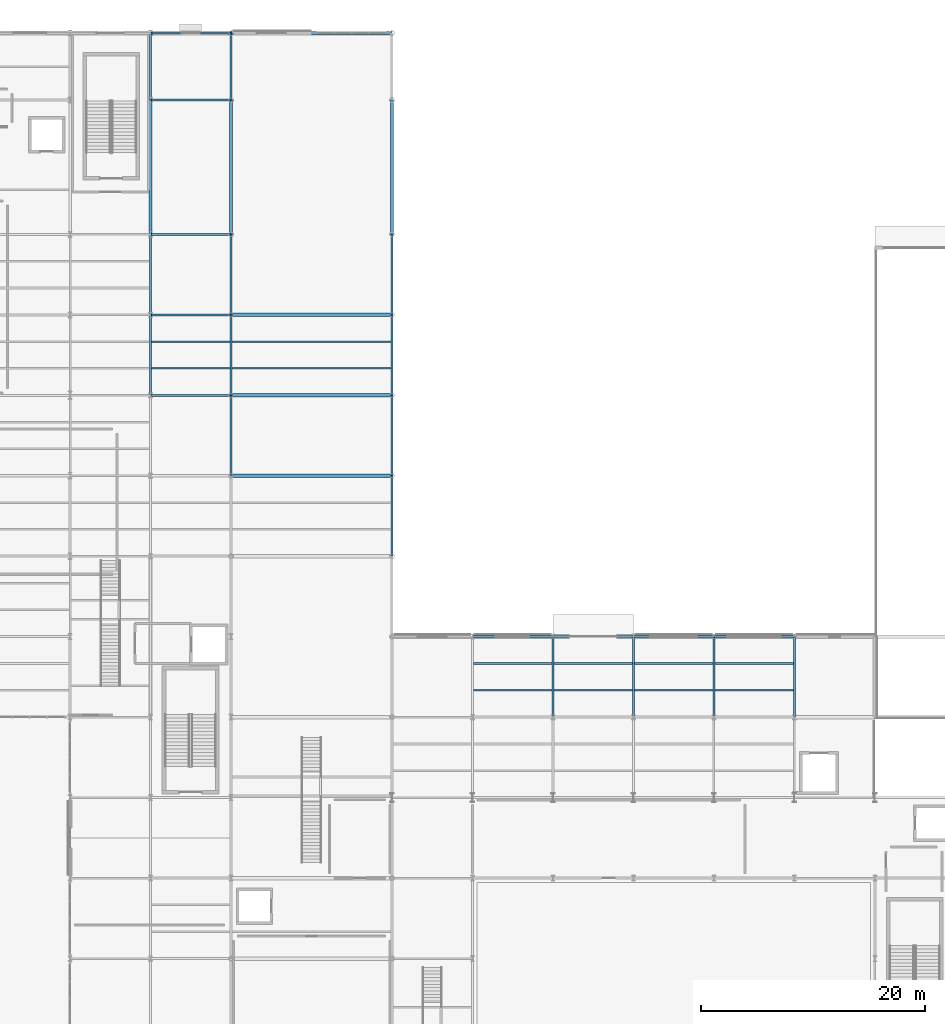
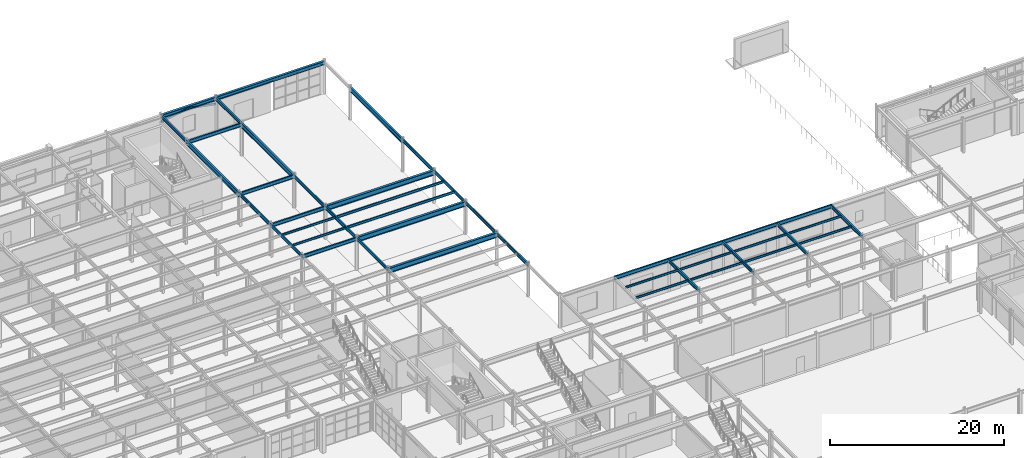
# One storey, part 39 of 83: 43 beams, 2 members.
"""IFC4 building model written with IfcOpenShell, lengths in metres."""

from ifc_helpers import new_model, si_unit, direction, frame, origin, origin_2d, place, context, subcontext, project, spatial, hollow_rectangle, i_section, extrude, material, material_profile, profile_set, type_object, element, save


model = new_model("IFC4")

# Units and contexts
model_context = context("Model", 3, precision=1e-05, world=origin(), true_north=direction((0.0, 1.0)))
body_context = subcontext(model_context, "Body", "Model", "MODEL_VIEW")
ifc_project = project(units=[si_unit("LENGTHUNIT", "METRE"), si_unit("AREAUNIT", "SQUARE_METRE"), si_unit("VOLUMEUNIT", "CUBIC_METRE"), si_unit("PLANEANGLEUNIT", "RADIAN"), si_unit("MASSUNIT", "GRAM", prefix="KILO")], contexts=[model_context])

# Site, building, storey
site_placement = place(None, origin())
site = spatial("IfcSite", under=ifc_project, at=site_placement, CompositionType="ELEMENT")
building_placement = place(site_placement, origin())
building = spatial("IfcBuilding", under=site, at=building_placement, Name="Solvadek Multi-Sports Hall", CompositionType="ELEMENT")
storey_placement = place(building_placement, origin())
storey = spatial("IfcBuildingStorey", under=building, at=storey_placement, Name="L00", CompositionType="ELEMENT", Elevation=0.0)

# Members
ifc_material = material(Name="Steel E350 (350 MPa)", Category="steel")
ifc_material_profile_1 = material_profile(ifc_material, hollow_rectangle(XDim=0.14990234375, YDim=0.25, WallThickness=0.010009765625, at=origin_2d()), Name="RHS 250x150x10")
ifc_profile_set_1 = profile_set([ifc_material_profile_1], Name="Steel E350 (350 MPa)")
member_type = type_object("IfcMemberType", Name="STR-ARC-RHS250", PredefinedType="USERDEFINED", material=ifc_profile_set_1)
member_1_placement = place(storey_placement, frame((64.800048828125, 110.39990234375, 3.550048828125), z_axis=(0.9831211258, 0.0, 0.182955874479), x_axis=(0.0, 1.0, 0.0)))
element("IfcMember", 1, at=member_1_placement, inside=storey, type_object=member_type, Name="L00 North Facade Pointed Ottoman Arch 10L", ObjectType="ARCH_SEGMENT", PredefinedType="USERDEFINED", context=body_context, shape_type="SweptSolid", body=[
    extrude(hollow_rectangle(XDim=0.14990234375, YDim=0.25, WallThickness=0.010009765625, at=origin_2d()), origin(), (0.0, 0.0, 1.0), 3.66162109375),
])
member_2_placement = place(storey_placement, frame((68.39990234375, 110.39990234375, 4.219970703125), z_axis=(0.983123357379, 0.0, -0.182943882588), x_axis=(0.0, 1.0, 0.0)))
element("IfcMember", 2, at=member_2_placement, inside=storey, type_object=member_type, Name="L00 North Facade Pointed Ottoman Arch 10R", ObjectType="ARCH_SEGMENT", PredefinedType="USERDEFINED", context=body_context, shape_type="SweptSolid", body=[
    extrude(hollow_rectangle(XDim=0.14990234375, YDim=0.25, WallThickness=0.010009765625, at=origin_2d()), origin(), (0.0, 0.0, 1.0), 3.661865234375),
])

# Beams
ifc_material_profile_2 = material_profile(ifc_material, i_section(OverallWidth=0.14990234375, OverallDepth=0.449951171875, WebThickness=0.009521484375, FlangeThickness=0.017333984375, at=origin_2d()), Name="ISMB 450")
ifc_profile_set_2 = profile_set([ifc_material_profile_2], Name="Steel E350 (350 MPa)")
beam_type_1 = type_object("IfcBeamType", Name="STR-BM-ISMB450", PredefinedType="BEAM", material=ifc_profile_set_2)
for number, where, z_axis, x_axis, name in (
    (3, (64.800048828125, 78.0, 4.35498046875), (0.0, 1.0, 0.0), (-1.0, 0.0, 0.0), "L00 Girder B-09 #849"),
    (4, (64.800048828125, 85.199951171875, 4.35498046875), (0.0, 1.0, 0.0), (-1.0, 0.0, 0.0), "L00 Girder B-09 #850"),
    (5, (72.0, 70.800048828125, 4.35498046875), (0.0, 1.0, 0.0), (-1.0, 0.0, 0.0), "L00 Girder B-09 #869"),
    (6, (72.0, 78.0, 4.35498046875), (0.0, 1.0, 0.0), (-1.0, 0.0, 0.0), "L00 Girder B-09 #870"),
    (7, (72.0, 85.199951171875, 4.35498046875), (0.0, 1.0, 0.0), (-1.0, 0.0, 0.0), "L00 Girder B-09 #871"),
    (8, (86.39990234375, 70.800048828125, 4.35498046875), (0.0, 1.0, 0.0), (-1.0, 0.0, 0.0), "L00 Girder B-09 #887"),
    (9, (86.39990234375, 78.0, 4.35498046875), (0.0, 1.0, 0.0), (-1.0, 0.0, 0.0), "L00 Girder B-09 #888"),
    (10, (86.39990234375, 85.199951171875, 4.35498046875), (0.0, 1.0, 0.0), (-1.0, 0.0, 0.0), "L00 Girder B-09 #889"),
):
    element("IfcBeam", number, at=place(storey_placement, frame(where, z_axis=z_axis, x_axis=x_axis)), inside=storey, type_object=beam_type_1, Name=name, PredefinedType="BEAM", context=body_context, shape_type="SweptSolid", body=[
        extrude(i_section(OverallWidth=0.14990234375, OverallDepth=0.449951171875, WebThickness=0.009521484375, FlangeThickness=0.017333984375, at=origin_2d()), origin(), (0.0, 0.0, 1.0), 7.199951171875),
    ])
ifc_material_profile_3 = material_profile(ifc_material, i_section(OverallWidth=0.179931640625, OverallDepth=0.5, WebThickness=0.01025390625, FlangeThickness=0.01708984375, at=origin_2d()), Name="ISMB 500")
ifc_profile_set_3 = profile_set([ifc_material_profile_3], Name="Steel E350 (350 MPa)")
beam_type_2 = type_object("IfcBeamType", Name="STR-BM-ISMB500", PredefinedType="BEAM", material=ifc_profile_set_3)
for number, where, z_axis, x_axis, name in (
    (11, (93.60009765625, 56.39990234375, 4.330078125), (1.0, 0.0, 0.0), (0.0, 1.0, 0.0), "L00 Girder B-07 #632"),
    (12, (100.800048828125, 56.39990234375, 4.330078125), (1.0, 0.0, 0.0), (0.0, 1.0, 0.0), "L00 Girder B-07 #633"),
    (13, (108.0, 56.39990234375, 4.330078125), (1.0, 0.0, 0.0), (0.0, 1.0, 0.0), "L00 Girder B-07 #634"),
    (14, (115.199951171875, 56.39990234375, 4.330078125), (1.0, 0.0, 0.0), (0.0, 1.0, 0.0), "L00 Girder B-07 #635"),
    (15, (64.800048828125, 78.0, 4.330078125), (1.0, 0.0, 0.0), (0.0, 1.0, 0.0), "L00 Girder B-07 #676"),
    (16, (64.800048828125, 85.199951171875, 4.330078125), (1.0, 0.0, 0.0), (0.0, 1.0, 0.0), "L00 Girder B-07 #687"),
    (17, (64.800048828125, 92.39990234375, 4.330078125), (1.0, 0.0, 0.0), (0.0, 1.0, 0.0), "L00 Girder B-07 #698"),
    (18, (64.800048828125, 104.39990234375, 4.330078125), (1.0, 0.0, 0.0), (0.0, 1.0, 0.0), "L00 Girder B-07 #707"),
):
    element("IfcBeam", number, at=place(storey_placement, frame(where, z_axis=z_axis, x_axis=x_axis)), inside=storey, type_object=beam_type_2, Name=name, PredefinedType="BEAM", context=body_context, shape_type="SweptSolid", body=[
        extrude(i_section(OverallWidth=0.179931640625, OverallDepth=0.5, WebThickness=0.01025390625, FlangeThickness=0.01708984375, at=origin_2d()), origin(), (0.0, 0.0, 1.0), 7.199951171875),
    ])
ifc_material_profile_4 = material_profile(ifc_material, i_section(OverallWidth=0.18994140625, OverallDepth=0.449951171875, WebThickness=0.009521484375, FlangeThickness=0.0146484375, at=origin_2d()), Name="NPB 450")
ifc_profile_set_4 = profile_set([ifc_material_profile_4], Name="Steel E350 (350 MPa)")
beam_type_3 = type_object("IfcBeamType", Name="STR-BM-NPB450", PredefinedType="BEAM", material=ifc_profile_set_4)
for number, where, z_axis, x_axis, name in (
    (19, (64.800048828125, 104.39990234375, 4.35498046875), (0.0, 1.0, 0.0), (-1.0, 0.0, 0.0), "L00 Girder B-08 #852"),
    (20, (72.0, 104.39990234375, 4.35498046875), (0.0, 1.0, 0.0), (-1.0, 0.0, 0.0), "L00 Girder B-08 #873"),
):
    element("IfcBeam", number, at=place(storey_placement, frame(where, z_axis=z_axis, x_axis=x_axis)), inside=storey, type_object=beam_type_3, Name=name, PredefinedType="BEAM", context=body_context, shape_type="SweptSolid", body=[
        extrude(i_section(OverallWidth=0.18994140625, OverallDepth=0.449951171875, WebThickness=0.009521484375, FlangeThickness=0.0146484375, at=origin_2d()), origin(), (0.0, 0.0, 1.0), 6.0),
    ])
for number, where, z_axis, x_axis, name in (
    (21, (86.39990234375, 63.60009765625, 4.35498046875), (0.0, 1.0, 0.0), (-1.0, 0.0, 0.0), "L00 Girder B-08 #886"),
    (22, (100.800048828125, 49.199951171875, 4.35498046875), (0.0, 1.0, 0.0), (-1.0, 0.0, 0.0), "L00 Girder B-08 #904"),
    (23, (108.0, 49.199951171875, 4.35498046875), (0.0, 1.0, 0.0), (-1.0, 0.0, 0.0), "L00 Girder B-08 #910"),
    (24, (115.199951171875, 49.199951171875, 4.35498046875), (0.0, 1.0, 0.0), (-1.0, 0.0, 0.0), "L00 Girder B-08 #915"),
    (25, (122.39990234375, 49.199951171875, 4.35498046875), (0.0, 1.0, 0.0), (-1.0, 0.0, 0.0), "L00 Girder B-08 #921"),
):
    element("IfcBeam", number, at=place(storey_placement, frame(where, z_axis=z_axis, x_axis=x_axis)), inside=storey, type_object=beam_type_3, Name=name, PredefinedType="BEAM", context=body_context, shape_type="SweptSolid", body=[
        extrude(i_section(OverallWidth=0.18994140625, OverallDepth=0.449951171875, WebThickness=0.009521484375, FlangeThickness=0.0146484375, at=origin_2d()), origin(), (0.0, 0.0, 1.0), 7.199951171875),
    ])
ifc_material_profile_5 = material_profile(ifc_material, i_section(OverallWidth=0.239990234375, OverallDepth=0.64990234375, WebThickness=0.0126953125, FlangeThickness=0.0205078125, at=origin_2d()), Name="NPB 650")
ifc_profile_set_5 = profile_set([ifc_material_profile_5], Name="Steel E350 (350 MPa)")
beam_type_4 = type_object("IfcBeamType", Name="STR-BM-NPB650", PredefinedType="BEAM", material=ifc_profile_set_5)
for number, where, z_axis, x_axis, name in (
    (26, (64.800048828125, 92.39990234375, 4.2548828125), (0.0, 1.0, 0.0), (-1.0, 0.0, 0.0), "L00 Girder B-03 #851"),
    (27, (72.0, 92.39990234375, 4.2548828125), (0.0, 1.0, 0.0), (-1.0, 0.0, 0.0), "L00 Girder B-03 #872"),
    (28, (86.39990234375, 92.39990234375, 4.2548828125), (0.0, 1.0, 0.0), (-1.0, 0.0, 0.0), "L00 Girder B-03 #890"),
):
    element("IfcBeam", number, at=place(storey_placement, frame(where, z_axis=z_axis, x_axis=x_axis)), inside=storey, type_object=beam_type_4, Name=name, PredefinedType="BEAM", context=body_context, shape_type="SweptSolid", body=[
        extrude(i_section(OverallWidth=0.239990234375, OverallDepth=0.64990234375, WebThickness=0.0126953125, FlangeThickness=0.0205078125, at=origin_2d()), origin(), (0.0, 0.0, 1.0), 12.0),
    ])
ifc_material_profile_6 = material_profile(ifc_material, i_section(OverallWidth=0.300048828125, OverallDepth=0.699951171875, WebThickness=0.01708984375, FlangeThickness=0.031982421875, at=origin_2d()), Name="WPB 700")
ifc_profile_set_6 = profile_set([ifc_material_profile_6], Name="Steel E350 (350 MPa)")
beam_type_5 = type_object("IfcBeamType", Name="STR-BM-WPB700", PredefinedType="BEAM", material=ifc_profile_set_6)
for number, where, z_axis, x_axis, name in (
    (29, (72.0, 70.800048828125, 4.22998046875), (1.0, 0.0, 0.0), (0.0, 1.0, 0.0), "L00 Girder B-01 #662"),
    (30, (72.0, 78.0, 4.22998046875), (1.0, 0.0, 0.0), (0.0, 1.0, 0.0), "L00 Girder B-01 #677"),
    (31, (72.0, 85.199951171875, 4.22998046875), (1.0, 0.0, 0.0), (0.0, 1.0, 0.0), "L00 Girder B-01 #688"),
):
    element("IfcBeam", number, at=place(storey_placement, frame(where, z_axis=z_axis, x_axis=x_axis)), inside=storey, type_object=beam_type_5, Name=name, PredefinedType="BEAM", context=body_context, shape_type="SweptSolid", body=[
        extrude(i_section(OverallWidth=0.300048828125, OverallDepth=0.699951171875, WebThickness=0.01708984375, FlangeThickness=0.031982421875, at=origin_2d()), origin(), (0.0, 0.0, 1.0), 14.39990234375),
    ])
ifc_material_profile_7 = material_profile(ifc_material, i_section(OverallWidth=0.139892578125, OverallDepth=0.300048828125, WebThickness=0.0078125, FlangeThickness=0.01318359375, at=origin_2d()), Name="ISMB 300")
ifc_profile_set_7 = profile_set([ifc_material_profile_7], Name="Steel E350 (350 MPa)")
beam_type_6 = type_object("IfcBeamType", Name="STR-JST-ISMB300", PredefinedType="JOIST", material=ifc_profile_set_7)
for number, where, z_axis, x_axis, name in (
    (32, (93.695068359375, 51.60009765625, 4.429931640625), (1.0, 0.0, 0.0), (0.0, 1.0, 0.0), "L00 Composite Joist J-03 #460"),
    (33, (93.695068359375, 54.0, 4.429931640625), (1.0, 0.0, 0.0), (0.0, 1.0, 0.0), "L00 Composite Joist J-03 #461"),
    (34, (100.89501953125, 51.60009765625, 4.429931640625), (1.0, 0.0, 0.0), (0.0, 1.0, 0.0), "L00 Composite Joist J-03 #462"),
    (35, (100.89501953125, 54.0, 4.429931640625), (1.0, 0.0, 0.0), (0.0, 1.0, 0.0), "L00 Composite Joist J-03 #463"),
    (36, (108.094970703125, 51.60009765625, 4.429931640625), (1.0, 0.0, 0.0), (0.0, 1.0, 0.0), "L00 Composite Joist J-03 #464"),
    (37, (108.094970703125, 54.0, 4.429931640625), (1.0, 0.0, 0.0), (0.0, 1.0, 0.0), "L00 Composite Joist J-03 #465"),
    (38, (115.294921875, 51.60009765625, 4.429931640625), (1.0, 0.0, 0.0), (0.0, 1.0, 0.0), "L00 Composite Joist J-03 #466"),
    (39, (115.294921875, 54.0, 4.429931640625), (1.0, 0.0, 0.0), (0.0, 1.0, 0.0), "L00 Composite Joist J-03 #467"),
):
    element("IfcBeam", number, at=place(storey_placement, frame(where, z_axis=z_axis, x_axis=x_axis)), inside=storey, type_object=beam_type_6, Name=name, PredefinedType="JOIST", context=body_context, shape_type="SweptSolid", body=[
        extrude(i_section(OverallWidth=0.139892578125, OverallDepth=0.300048828125, WebThickness=0.0078125, FlangeThickness=0.01318359375, at=origin_2d()), origin(), (0.0, 0.0, 1.0), 7.010009765625),
    ])
for number, where, z_axis, x_axis, name in (
    (40, (64.875, 80.39990234375, 4.429931640625), (1.0, 0.0, 0.0), (0.0, 1.0, 0.0), "L00 Composite Joist J-03 #541"),
    (41, (64.875, 82.800048828125, 4.429931640625), (1.0, 0.0, 0.0), (0.0, 1.0, 0.0), "L00 Composite Joist J-03 #542"),
):
    element("IfcBeam", number, at=place(storey_placement, frame(where, z_axis=z_axis, x_axis=x_axis)), inside=storey, type_object=beam_type_6, Name=name, PredefinedType="JOIST", context=body_context, shape_type="SweptSolid", body=[
        extrude(i_section(OverallWidth=0.139892578125, OverallDepth=0.300048828125, WebThickness=0.0078125, FlangeThickness=0.01318359375, at=origin_2d()), origin(), (0.0, 0.0, 1.0), 7.050048828125),
    ])
ifc_material_profile_8 = material_profile(ifc_material, i_section(OverallWidth=0.139892578125, OverallDepth=0.35009765625, WebThickness=0.008056640625, FlangeThickness=0.01416015625, at=origin_2d()), Name="ISMB 350")
ifc_profile_set_8 = profile_set([ifc_material_profile_8], Name="Steel E350 (350 MPa)")
beam_type_7 = type_object("IfcBeamType", Name="STR-JST-ISMB350", PredefinedType="JOIST", material=ifc_profile_set_8)
for number, where, z_axis, x_axis, name in (
    (42, (72.074951171875, 80.39990234375, 4.405029296875), (1.0, 0.0, 0.0), (0.0, 1.0, 0.0), "L00 Composite Joist J-01 #543"),
    (43, (72.074951171875, 82.800048828125, 4.405029296875), (1.0, 0.0, 0.0), (0.0, 1.0, 0.0), "L00 Composite Joist J-01 #544"),
):
    element("IfcBeam", number, at=place(storey_placement, frame(where, z_axis=z_axis, x_axis=x_axis)), inside=storey, type_object=beam_type_7, Name=name, PredefinedType="JOIST", context=body_context, shape_type="SweptSolid", body=[
        extrude(i_section(OverallWidth=0.139892578125, OverallDepth=0.35009765625, WebThickness=0.008056640625, FlangeThickness=0.01416015625, at=origin_2d()), origin(), (0.0, 0.0, 1.0), 14.25),
    ])
ifc_material_profile_9 = material_profile(ifc_material, i_section(OverallWidth=0.300048828125, OverallDepth=0.5, WebThickness=0.014404296875, FlangeThickness=0.028076171875, at=origin_2d()), Name="WPB 500")
ifc_profile_set_9 = profile_set([ifc_material_profile_9], Name="Steel E350 (350 MPa)")
beam_type_8 = type_object("IfcBeamType", Name="STR-SPN-WPB500", PredefinedType="SPANDREL", material=ifc_profile_set_9)
beam_1_placement = place(storey_placement, frame((64.800048828125, 110.39990234375, 4.330078125), z_axis=(1.0, 0.0, 0.0), x_axis=(0.0, 1.0, 0.0)))
element("IfcBeam", 44, at=beam_1_placement, inside=storey, type_object=beam_type_8, Name="L00 Girder SP-01 #717", PredefinedType="SPANDREL", context=body_context, shape_type="SweptSolid", body=[
    extrude(i_section(OverallWidth=0.300048828125, OverallDepth=0.5, WebThickness=0.014404296875, FlangeThickness=0.028076171875, at=origin_2d()), origin(), (0.0, 0.0, 1.0), 7.199951171875),
])
beam_2_placement = place(storey_placement, frame((72.0, 110.39990234375, 4.330078125), z_axis=(1.0, 0.0, 0.0), x_axis=(0.0, 1.0, 0.0)))
element("IfcBeam", 45, at=beam_2_placement, inside=storey, type_object=beam_type_8, Name="L00 Girder SP-01 #718", PredefinedType="SPANDREL", context=body_context, shape_type="SweptSolid", body=[
    extrude(i_section(OverallWidth=0.300048828125, OverallDepth=0.5, WebThickness=0.014404296875, FlangeThickness=0.028076171875, at=origin_2d()), origin(), (0.0, 0.0, 1.0), 14.39990234375),
])

save(model, "model.ifc")
